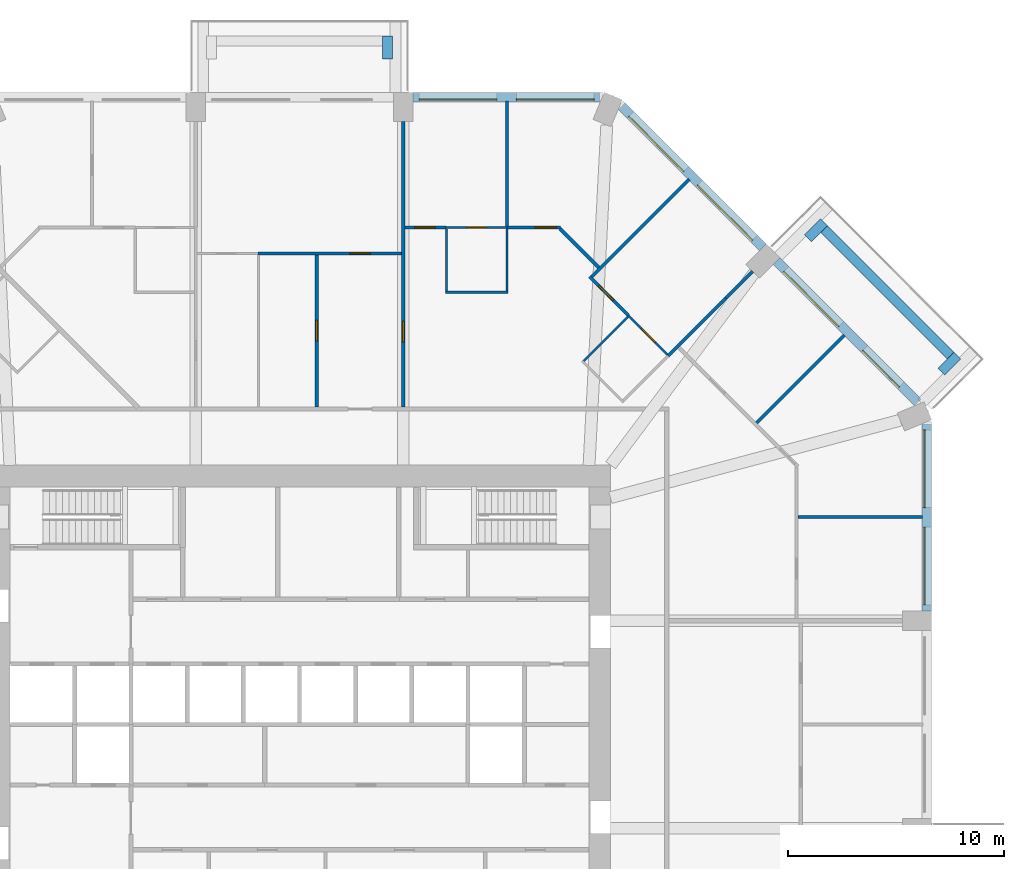
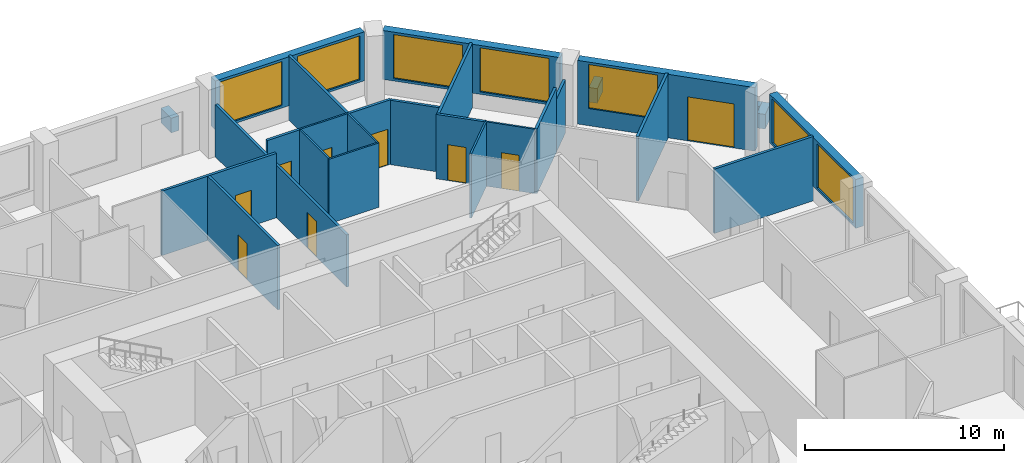
# One storey, part 10 of 13: 27 walls, 9 doors, 7 windows, 16 openings.
"""IFC4 building model written with IfcOpenShell, lengths in metres."""

from ifc_helpers import new_model, si_unit, direction, frame, frame_2d, origin, place, context, subcontext, project, spatial, rectangle, extrude, material, layer, layer_set, type_object, element, fill, save


model = new_model("IFC4")

# Units and contexts
model_context = context("Model", 3, precision=1e-05, world=origin(), true_north=direction((0.0, 1.0)))
body_context = subcontext(model_context, "Body", "Model", "MODEL_VIEW")
ifc_project = project(units=[si_unit("LENGTHUNIT", "METRE"), si_unit("AREAUNIT", "SQUARE_METRE"), si_unit("VOLUMEUNIT", "CUBIC_METRE"), si_unit("PLANEANGLEUNIT", "RADIAN"), si_unit("MASSUNIT", "GRAM", prefix="KILO")], contexts=[model_context])

# Site, building, storey
site_placement = place(None, origin())
site = spatial("IfcSite", under=ifc_project, at=site_placement, CompositionType="ELEMENT")
building_placement = place(site_placement, origin())
building = spatial("IfcBuilding", under=site, at=building_placement, Name="Msitu Wima Residences", CompositionType="ELEMENT")
storey_placement = place(building_placement, frame((0.0, 0.0, 80.10009765625)))
storey = spatial("IfcBuildingStorey", under=building, at=storey_placement, Name="L18", CompositionType="ELEMENT", Elevation=80.10009765625)

# Walls
ifc_material_1 = material(Name="Facing brick")
ifc_layer_1 = layer(ifc_material_1, 0.06494140625, Name="Facing brick")
ifc_material_2 = material(Name="Concrete C40/50", Category="concrete")
ifc_layer_2 = layer(ifc_material_2, 0.156005859375, Name="Concrete C40/50")
ifc_material_3 = material(Name="Waterproofing membrane")
ifc_layer_3 = layer(ifc_material_3, 0.00390625, Name="Waterproofing membrane")
ifc_material_4 = material(Name="Planting soil and planting")
ifc_layer_4 = layer(ifc_material_4, 0.22509765625, Name="Planting soil and planting")
ifc_layer_set_1 = layer_set([ifc_layer_1, ifc_layer_2, ifc_layer_3, ifc_layer_4], Name="Concrete C40/50")
wall_type_1 = type_object("IfcWallType", Name="Balcony planter PLANTER PL450", PredefinedType="USERDEFINED", material=ifc_layer_set_1)
wall_1_placement = place(storey_placement, frame((30.125732421875, 17.0693359375, 0.0), z_axis=(0.0, 0.0, 1.0), x_axis=(-0.707106781187, 0.707106781187, 0.0)))
element("IfcWall", 1, at=wall_1_placement, inside=storey, type_object=wall_type_1, Name="Balcony planter NE0 L18", ObjectType="PLANTER", PredefinedType="USERDEFINED", context=body_context, shape_type="SweptSolid", body=[
    extrude(rectangle(XDim=8.2822265625, YDim=0.449951171875, at=frame_2d((4.14111328125, 0.0))), origin(), (0.0, 0.0, 1.0), 0.89990234375),
])
for number, where, z_axis, x_axis, name in (
    (2, (29.70166015625, 16.326904296875, 0.0), (0.0, 0.0, 1.0), (0.707106781187, 0.707106781187, 0.0), "Balcony planter NE0 L18"),
    (3, (23.52685546875, 22.50146484375, 0.0), (0.0, 0.0, 1.0), (0.706990528533, 0.707223014731, 0.0), "Balcony planter NE0 L18"),
    (4, (4.074951171875, 30.800048828125, 0.0), (0.0, 0.0, 1.0), (0.0, 1.0, 0.0), "Balcony planter N1 L18"),
):
    element("IfcWall", number, at=place(storey_placement, frame(where, z_axis=z_axis, x_axis=x_axis)), inside=storey, type_object=wall_type_1, Name=name, ObjectType="PLANTER", PredefinedType="USERDEFINED", context=body_context, shape_type="SweptSolid", body=[
        extrude(rectangle(XDim=1.050048828125, YDim=0.449951171875, at=frame_2d((0.52490234375, 0.0))), origin(), (0.0, 0.0, 1.0), 0.89990234375),
    ])

# Wall, openings, windows
ifc_material_5 = material(Name="Brick (red buff mix)", Category="masonry")
ifc_layer_5 = layer(ifc_material_5, 0.449951171875)
ifc_layer_set_2 = layer_set([ifc_layer_5], Name="Brick (red buff mix)")
wall_type_2 = type_object("IfcWallType", Name="Brick infill wall BW450", PredefinedType="SOLIDWALL", material=ifc_layer_set_2)
wall_2_placement = place(storey_placement, frame((29.02490234375, 5.25, 0.89990234375), z_axis=(0.0, 0.0, 1.0), x_axis=(0.0, 1.0, 0.0)))
wall_2 = element("IfcWall", 5, at=wall_2_placement, inside=storey, type_object=wall_type_2, Name="Brick infill wall L18 E2", PredefinedType="SOLIDWALL", context=body_context, shape_type="SweptSolid", body=[
    extrude(rectangle(XDim=8.662841796875, YDim=0.449951171875, at=frame_2d((4.33154296875, 0.0))), origin(), (0.0, 0.0, 1.0), 3.0),
])
opening_1_placement = place(wall_2_placement, frame((0.281494140625, 0.0, 0.14990234375)))
opening_1 = element("IfcOpeningElement", 6, at=opening_1_placement, cuts=wall_2, Name="Opening W18-20.004", PredefinedType="OPENING", context=body_context, shape_type="SweptSolid", body=[
    extrude(rectangle(XDim=3.60009765625, YDim=2.699951171875, at=frame_2d((1.800048828125, 1.35009765625))), frame((0.0, 0.23486328125, 0.0), z_axis=(0.0, -1.0, 0.0), x_axis=(1.0, 0.0, 0.0)), (0.0, 0.0, 1.0), 0.469970703125),
])
opening_2_placement = place(wall_2_placement, frame((4.781494140625, 0.0, 0.14990234375)))
opening_2 = element("IfcOpeningElement", 7, at=opening_2_placement, cuts=wall_2, Name="Opening W18-20.005", PredefinedType="OPENING", context=body_context, shape_type="SweptSolid", body=[
    extrude(rectangle(XDim=3.60009765625, YDim=2.699951171875, at=frame_2d((1.800048828125, 1.35009765625))), frame((0.0, 0.23486328125, 0.0), z_axis=(0.0, -1.0, 0.0), x_axis=(1.0, 0.0, 0.0)), (0.0, 0.0, 1.0), 0.469970703125),
])
ifc_material_6 = material(Name="Anodised aluminium, bronze finish, clear low-emissivity double glazing", Category="aluminium")
window_type = type_object("IfcWindowType", Name="Window W3600x2700", PartitioningType="DOUBLE_PANEL_VERTICAL", PredefinedType="WINDOW", material=ifc_material_6)
window_1_placement = place(opening_1_placement, origin())
window_1 = element("IfcWindow", 8, at=window_1_placement, inside=storey, type_object=window_type, Name="Window L18 E2.1", OverallHeight=2.699951171875, OverallWidth=3.60009765625, PartitioningType="SINGLE_PANEL", PredefinedType="WINDOW", context=body_context, shape_type="SweptSolid", body=[
    extrude(rectangle(XDim=3.60009765625, YDim=2.699951171875, at=frame_2d((1.800048828125, 1.35009765625))), frame((0.0, 0.135009765625, 0.0), z_axis=(0.0, -1.0, 0.0), x_axis=(1.0, 0.0, 0.0)), (0.0, 0.0, 1.0), 0.06005859375),
])
fill(opening_1, window_1)
window_2_placement = place(opening_2_placement, origin())
window_2 = element("IfcWindow", 9, at=window_2_placement, inside=storey, type_object=window_type, Name="Window L18 E2.2", OverallHeight=2.699951171875, OverallWidth=3.60009765625, PartitioningType="SINGLE_PANEL", PredefinedType="WINDOW", context=body_context, shape_type="SweptSolid", body=[
    extrude(rectangle(XDim=3.60009765625, YDim=2.699951171875, at=frame_2d((1.800048828125, 1.35009765625))), frame((0.0, 0.135009765625, 0.0), z_axis=(0.0, -1.0, 0.0), x_axis=(1.0, 0.0, 0.0)), (0.0, 0.0, 1.0), 0.06005859375),
])
fill(opening_2, window_2)

# Wall, openings, door, window
wall_3_placement = place(storey_placement, frame((28.61474609375, 14.903564453125, 0.0), z_axis=(0.0, 0.0, 1.0), x_axis=(-0.707106781187, 0.707106781187, 0.0)))
wall_3 = element("IfcWall", 10, at=wall_3_placement, inside=storey, type_object=wall_type_2, Name="Brick infill wall L18 NE0", PredefinedType="SOLIDWALL", context=body_context, shape_type="SweptSolid", body=[
    extrude(rectangle(XDim=9.2451171875, YDim=0.449951171875, at=frame_2d((4.62255859375, 0.0))), origin(), (0.0, 0.0, 1.0), 3.89990234375),
])
opening_3_placement = place(wall_3_placement, frame((1.111328125, 0.0, 0.0)))
opening_3 = element("IfcOpeningElement", 11, at=opening_3_placement, cuts=wall_3, Name="Opening D18-20.003", PredefinedType="OPENING", context=body_context, shape_type="SweptSolid", body=[
    extrude(rectangle(XDim=2.39990234375, YDim=2.699951171875, at=frame_2d((1.199951171875, 1.35009765625))), frame((0.0, 0.23486328125, 0.0), z_axis=(0.0, -1.0, 0.0), x_axis=(1.0, 0.0, 0.0)), (0.0, 0.0, 1.0), 0.469970703125),
])
opening_4_placement = place(wall_3_placement, frame((5.072509765625, 0.0, 1.050048828125)))
opening_4 = element("IfcOpeningElement", 12, at=opening_4_placement, cuts=wall_3, Name="Opening W18-20.011", PredefinedType="OPENING", context=body_context, shape_type="SweptSolid", body=[
    extrude(rectangle(XDim=3.60009765625, YDim=2.699951171875, at=frame_2d((1.800048828125, 1.35009765625))), frame((0.0, 0.23486328125, 0.0), z_axis=(0.0, -1.0, 0.0), x_axis=(1.0, 0.0, 0.0)), (0.0, 0.0, 1.0), 0.469970703125),
])
door_type_1 = type_object("IfcDoorType", Name="Balcony door D2400x2700", OperationType="SLIDING_TO_LEFT", PredefinedType="DOOR", material=ifc_material_6)
door_1_placement = place(opening_3_placement, origin())
door_1 = element("IfcDoor", 13, at=door_1_placement, inside=storey, type_object=door_type_1, Name="Balcony door L18 NE0", OperationType="SINGLE_SWING_LEFT", OverallHeight=2.699951171875, OverallWidth=2.39990234375, PredefinedType="DOOR", context=body_context, shape_type="SweptSolid", body=[
    extrude(rectangle(XDim=2.39990234375, YDim=2.699951171875, at=frame_2d((1.199951171875, 1.35009765625))), frame((0.0, 0.1298828125, 0.0), z_axis=(0.0, -1.0, 0.0), x_axis=(1.0, 0.0, 0.0)), (0.0, 0.0, 1.0), 0.050048828125),
])
fill(opening_3, door_1)
window_3_placement = place(opening_4_placement, origin())
window_3 = element("IfcWindow", 14, at=window_3_placement, inside=storey, type_object=window_type, Name="Window L18 NE0.2", OverallHeight=2.699951171875, OverallWidth=3.60009765625, PartitioningType="SINGLE_PANEL", PredefinedType="WINDOW", context=body_context, shape_type="SweptSolid", body=[
    extrude(rectangle(XDim=3.60009765625, YDim=2.699951171875, at=frame_2d((1.800048828125, 1.35009765625))), frame((0.0, 0.135009765625, 0.0), z_axis=(0.0, -1.0, 0.0), x_axis=(1.0, 0.0, 0.0)), (0.0, 0.0, 1.0), 0.06005859375),
])
fill(opening_4, window_3)

# Wall, openings, windows
wall_4_placement = place(storey_placement, frame((21.44091796875, 22.077392578125, 0.89990234375), z_axis=(0.0, 0.0, 1.0), x_axis=(-0.707106781187, 0.707106781187, 0.0)))
wall_4 = element("IfcWall", 15, at=wall_4_placement, inside=storey, type_object=wall_type_2, Name="Brick infill wall L18 NE1", PredefinedType="SOLIDWALL", context=body_context, shape_type="SweptSolid", body=[
    extrude(rectangle(XDim=9.2451171875, YDim=0.449951171875, at=frame_2d((4.62255859375, 0.0))), origin(), (0.0, 0.0, 1.0), 3.0),
])
opening_5_placement = place(wall_4_placement, frame((0.572509765625, 0.0, 0.14990234375)))
opening_5 = element("IfcOpeningElement", 16, at=opening_5_placement, cuts=wall_4, Name="Opening W18-20.012", PredefinedType="OPENING", context=body_context, shape_type="SweptSolid", body=[
    extrude(rectangle(XDim=3.60009765625, YDim=2.699951171875, at=frame_2d((1.800048828125, 1.35009765625))), frame((0.0, 0.23486328125, 0.0), z_axis=(0.0, -1.0, 0.0), x_axis=(1.0, 0.0, 0.0)), (0.0, 0.0, 1.0), 0.469970703125),
])
opening_6_placement = place(wall_4_placement, frame((5.072509765625, 0.0, 0.14990234375)))
opening_6 = element("IfcOpeningElement", 17, at=opening_6_placement, cuts=wall_4, Name="Opening W18-20.013", PredefinedType="OPENING", context=body_context, shape_type="SweptSolid", body=[
    extrude(rectangle(XDim=3.60009765625, YDim=2.699951171875, at=frame_2d((1.800048828125, 1.35009765625))), frame((0.0, 0.23486328125, 0.0), z_axis=(0.0, -1.0, 0.0), x_axis=(1.0, 0.0, 0.0)), (0.0, 0.0, 1.0), 0.469970703125),
])
window_4_placement = place(opening_5_placement, origin())
window_4 = element("IfcWindow", 18, at=window_4_placement, inside=storey, type_object=window_type, Name="Window L18 NE1.1", OverallHeight=2.699951171875, OverallWidth=3.60009765625, PartitioningType="SINGLE_PANEL", PredefinedType="WINDOW", context=body_context, shape_type="SweptSolid", body=[
    extrude(rectangle(XDim=3.60009765625, YDim=2.699951171875, at=frame_2d((1.800048828125, 1.35009765625))), frame((0.0, 0.135009765625, 0.0), z_axis=(0.0, -1.0, 0.0), x_axis=(1.0, 0.0, 0.0)), (0.0, 0.0, 1.0), 0.06005859375),
])
fill(opening_5, window_4)
window_5_placement = place(opening_6_placement, origin())
window_5 = element("IfcWindow", 19, at=window_5_placement, inside=storey, type_object=window_type, Name="Window L18 NE1.2", OverallHeight=2.699951171875, OverallWidth=3.60009765625, PartitioningType="SINGLE_PANEL", PredefinedType="WINDOW", context=body_context, shape_type="SweptSolid", body=[
    extrude(rectangle(XDim=3.60009765625, YDim=2.699951171875, at=frame_2d((1.800048828125, 1.35009765625))), frame((0.0, 0.135009765625, 0.0), z_axis=(0.0, -1.0, 0.0), x_axis=(1.0, 0.0, 0.0)), (0.0, 0.0, 1.0), 0.06005859375),
])
fill(opening_6, window_5)

wall_5_placement = place(storey_placement, frame((13.912841796875, 29.02490234375, 0.89990234375), z_axis=(0.0, 0.0, 1.0), x_axis=(-1.0, 0.0, 0.0)))
wall_5 = element("IfcWall", 20, at=wall_5_placement, inside=storey, type_object=wall_type_2, Name="Brick infill wall L18 N0", PredefinedType="SOLIDWALL", context=body_context, shape_type="SweptSolid", body=[
    extrude(rectangle(XDim=8.662841796875, YDim=0.449951171875, at=frame_2d((4.33154296875, 0.0))), origin(), (0.0, 0.0, 1.0), 3.0),
])
opening_7_placement = place(wall_5_placement, frame((0.281494140625, 0.0, 0.14990234375)))
opening_7 = element("IfcOpeningElement", 21, at=opening_7_placement, cuts=wall_5, Name="Opening W18-20.006", PredefinedType="OPENING", context=body_context, shape_type="SweptSolid", body=[
    extrude(rectangle(XDim=3.60009765625, YDim=2.699951171875, at=frame_2d((1.800048828125, 1.35009765625))), frame((0.0, 0.23486328125, 0.0), z_axis=(0.0, -1.0, 0.0), x_axis=(1.0, 0.0, 0.0)), (0.0, 0.0, 1.0), 0.469970703125),
])
opening_8_placement = place(wall_5_placement, frame((4.781494140625, 0.0, 0.14990234375)))
opening_8 = element("IfcOpeningElement", 22, at=opening_8_placement, cuts=wall_5, Name="Opening W18-20.007", PredefinedType="OPENING", context=body_context, shape_type="SweptSolid", body=[
    extrude(rectangle(XDim=3.60009765625, YDim=2.699951171875, at=frame_2d((1.800048828125, 1.35009765625))), frame((0.0, 0.23486328125, 0.0), z_axis=(0.0, -1.0, 0.0), x_axis=(1.0, 0.0, 0.0)), (0.0, 0.0, 1.0), 0.469970703125),
])
window_6_placement = place(opening_7_placement, origin())
window_6 = element("IfcWindow", 23, at=window_6_placement, inside=storey, type_object=window_type, Name="Window L18 N0.1", OverallHeight=2.699951171875, OverallWidth=3.60009765625, PartitioningType="SINGLE_PANEL", PredefinedType="WINDOW", context=body_context, shape_type="SweptSolid", body=[
    extrude(rectangle(XDim=3.60009765625, YDim=2.699951171875, at=frame_2d((1.800048828125, 1.35009765625))), frame((0.0, 0.135009765625, 0.0), z_axis=(0.0, -1.0, 0.0), x_axis=(1.0, 0.0, 0.0)), (0.0, 0.0, 1.0), 0.06005859375),
])
fill(opening_7, window_6)
window_7_placement = place(opening_8_placement, origin())
window_7 = element("IfcWindow", 24, at=window_7_placement, inside=storey, type_object=window_type, Name="Window L18 N0.2", OverallHeight=2.699951171875, OverallWidth=3.60009765625, PartitioningType="SINGLE_PANEL", PredefinedType="WINDOW", context=body_context, shape_type="SweptSolid", body=[
    extrude(rectangle(XDim=3.60009765625, YDim=2.699951171875, at=frame_2d((1.800048828125, 1.35009765625))), frame((0.0, 0.135009765625, 0.0), z_axis=(0.0, -1.0, 0.0), x_axis=(1.0, 0.0, 0.0)), (0.0, 0.0, 1.0), 0.06005859375),
])
fill(opening_8, window_7)

# Wall, opening, door
ifc_material_7 = material(Name="Plaster")
ifc_layer_6 = layer(ifc_material_7, 0.011962890625, Name="Plaster")
ifc_material_8 = material(Name="Concrete blockwork", Category="masonry")
ifc_layer_7 = layer(ifc_material_8, 0.1259765625, Name="Concrete blockwork")
ifc_layer_8 = layer(ifc_material_7, 0.011962890625, Name="Plaster")
ifc_layer_set_3 = layer_set([ifc_layer_6, ifc_layer_7, ifc_layer_8], Name="Concrete blockwork")
wall_type_3 = type_object("IfcWallType", Name="Partition PW150", PredefinedType="PARTITIONING", material=ifc_layer_set_3)
wall_6_placement = place(storey_placement, frame((-1.919921875, 21.800048828125, 0.0), z_axis=(0.0, 0.0, 1.0), x_axis=(1.0, 0.0, 0.0)))
wall_6 = element("IfcWall", 25, at=wall_6_placement, inside=storey, type_object=wall_type_3, Name="Partition", PredefinedType="PARTITIONING", context=body_context, shape_type="SweptSolid", body=[
    extrude(rectangle(XDim=6.64501953125, YDim=0.14990234375, at=frame_2d((3.322509765625, 0.0))), origin(), (0.0, 0.0, 1.0), 3.949951171875),
])
opening_9_placement = place(wall_6_placement, frame((4.25, 0.0, 0.0)))
opening_9 = element("IfcOpeningElement", 26, at=opening_9_placement, cuts=wall_6, Name="Opening D18-20.048", PredefinedType="OPENING", context=body_context, shape_type="SweptSolid", body=[
    extrude(rectangle(XDim=0.949951171875, YDim=2.199951171875, at=frame_2d((0.47509765625, 1.10009765625))), frame((0.0, 0.0849609375, 0.0), z_axis=(0.0, -1.0, 0.0), x_axis=(1.0, 0.0, 0.0)), (0.0, 0.0, 1.0), 0.169921875),
])
ifc_material_9 = material(Name="Timber flush door", Category="wood")
door_type_2 = type_object("IfcDoorType", Name="Room door D12 950x2200", OperationType="SINGLE_SWING_LEFT", PredefinedType="DOOR", material=ifc_material_9)
door_2_placement = place(opening_9_placement, origin())
door_2 = element("IfcDoor", 27, at=door_2_placement, inside=storey, type_object=door_type_2, Name="Room door", OperationType="SINGLE_SWING_RIGHT", OverallHeight=2.199951171875, OverallWidth=0.949951171875, PredefinedType="DOOR", context=body_context, shape_type="SweptSolid", body=[
    extrude(rectangle(XDim=0.949951171875, YDim=2.199951171875, at=frame_2d((0.47509765625, 1.10009765625))), frame((0.0, 0.02490234375, 0.0), z_axis=(0.0, -1.0, 0.0), x_axis=(1.0, 0.0, 0.0)), (0.0, 0.0, 1.0), 0.050048828125),
])
fill(opening_9, door_2)

wall_7_placement = place(storey_placement, frame((0.800048828125, 14.699951171875, 0.0), z_axis=(0.0, 0.0, 1.0), x_axis=(0.0, 1.0, 0.0)))
wall_7 = element("IfcWall", 28, at=wall_7_placement, inside=storey, type_object=wall_type_3, Name="Partition", PredefinedType="PARTITIONING", context=body_context, shape_type="SweptSolid", body=[
    extrude(rectangle(XDim=7.025146484375, YDim=0.14990234375, at=frame_2d((3.5126953125, 0.0))), origin(), (0.0, 0.0, 1.0), 3.949951171875),
])
opening_10_placement = place(wall_7_placement, frame((3.050048828125, 0.0, 0.0)))
opening_10 = element("IfcOpeningElement", 29, at=opening_10_placement, cuts=wall_7, Name="Opening D18-20.085", PredefinedType="OPENING", context=body_context, shape_type="SweptSolid", body=[
    extrude(rectangle(XDim=0.949951171875, YDim=2.199951171875, at=frame_2d((0.47509765625, 1.10009765625))), frame((0.0, 0.0849609375, 0.0), z_axis=(0.0, -1.0, 0.0), x_axis=(1.0, 0.0, 0.0)), (0.0, 0.0, 1.0), 0.169921875),
])
door_3_placement = place(opening_10_placement, origin())
door_3 = element("IfcDoor", 30, at=door_3_placement, inside=storey, type_object=door_type_2, Name="Room door", OperationType="SINGLE_SWING_RIGHT", OverallHeight=2.199951171875, OverallWidth=0.949951171875, PredefinedType="DOOR", context=body_context, shape_type="SweptSolid", body=[
    extrude(rectangle(XDim=0.949951171875, YDim=2.199951171875, at=frame_2d((0.47509765625, 1.10009765625))), frame((0.0, 0.02490234375, 0.0), z_axis=(0.0, -1.0, 0.0), x_axis=(1.0, 0.0, 0.0)), (0.0, 0.0, 1.0), 0.050048828125),
])
fill(opening_10, door_3)

wall_8_placement = place(storey_placement, frame((4.800048828125, 14.699951171875, 0.0), z_axis=(0.0, 0.0, 1.0), x_axis=(0.0, 1.0, 0.0)))
wall_8 = element("IfcWall", 31, at=wall_8_placement, inside=storey, type_object=wall_type_3, Name="Partition", PredefinedType="PARTITIONING", context=body_context, shape_type="SweptSolid", body=[
    extrude(rectangle(XDim=13.199951171875, YDim=0.14990234375, at=frame_2d((6.60009765625, 0.0))), origin(), (0.0, 0.0, 1.0), 3.199951171875),
])
opening_11_placement = place(wall_8_placement, frame((3.0, 0.0, 0.0)))
opening_11 = element("IfcOpeningElement", 32, at=opening_11_placement, cuts=wall_8, Name="Opening D18-20.037", PredefinedType="OPENING", context=body_context, shape_type="SweptSolid", body=[
    extrude(rectangle(XDim=0.949951171875, YDim=2.199951171875, at=frame_2d((0.47509765625, 1.10009765625))), frame((0.0, 0.0849609375, 0.0), z_axis=(0.0, -1.0, 0.0), x_axis=(1.0, 0.0, 0.0)), (0.0, 0.0, 1.0), 0.169921875),
])
door_4_placement = place(opening_11_placement, origin())
door_4 = element("IfcDoor", 33, at=door_4_placement, inside=storey, type_object=door_type_2, Name="Room door", OperationType="SINGLE_SWING_RIGHT", OverallHeight=2.199951171875, OverallWidth=0.949951171875, PredefinedType="DOOR", context=body_context, shape_type="SweptSolid", body=[
    extrude(rectangle(XDim=0.949951171875, YDim=2.199951171875, at=frame_2d((0.47509765625, 1.10009765625))), frame((0.0, 0.02490234375, 0.0), z_axis=(0.0, -1.0, 0.0), x_axis=(1.0, 0.0, 0.0)), (0.0, 0.0, 1.0), 0.050048828125),
])
fill(opening_11, door_4)

wall_9_placement = place(storey_placement, frame((4.875, 23.0, 0.0), z_axis=(0.0, 0.0, 1.0), x_axis=(1.0, 0.0, 0.0)))
wall_9 = element("IfcWall", 34, at=wall_9_placement, inside=storey, type_object=wall_type_3, Name="Partition", PredefinedType="PARTITIONING", context=body_context, shape_type="SweptSolid", body=[
    extrude(rectangle(XDim=1.905029296875, YDim=0.14990234375, at=frame_2d((0.95263671875, 0.0))), origin(), (0.0, 0.0, 1.0), 3.949951171875),
])
opening_12_placement = place(wall_9_placement, frame((0.449951171875, 0.0, 0.0)))
opening_12 = element("IfcOpeningElement", 35, at=opening_12_placement, cuts=wall_9, Name="Opening D18-20.081", PredefinedType="OPENING", context=body_context, shape_type="SweptSolid", body=[
    extrude(rectangle(XDim=0.949951171875, YDim=2.199951171875, at=frame_2d((0.47509765625, 1.10009765625))), frame((0.0, 0.0849609375, 0.0), z_axis=(0.0, -1.0, 0.0), x_axis=(1.0, 0.0, 0.0)), (0.0, 0.0, 1.0), 0.169921875),
])
door_5_placement = place(opening_12_placement, origin())
door_5 = element("IfcDoor", 36, at=door_5_placement, inside=storey, type_object=door_type_2, Name="Room door", OperationType="SINGLE_SWING_LEFT", OverallHeight=2.199951171875, OverallWidth=0.949951171875, PredefinedType="DOOR", context=body_context, shape_type="SweptSolid", body=[
    extrude(rectangle(XDim=0.949951171875, YDim=2.199951171875, at=frame_2d((0.47509765625, 1.10009765625))), frame((0.0, 0.02490234375, 0.0), z_axis=(0.0, -1.0, 0.0), x_axis=(1.0, 0.0, 0.0)), (0.0, 0.0, 1.0), 0.050048828125),
])
fill(opening_12, door_5)

# Wall
wall_10_placement = place(storey_placement, frame((9.60009765625, 22.97998046875, 0.0), z_axis=(0.0, 0.0, 1.0), x_axis=(0.0, 1.0, 0.0)))
element("IfcWall", 37, at=wall_10_placement, inside=storey, type_object=wall_type_3, Name="Partition", PredefinedType="PARTITIONING", context=body_context, shape_type="SweptSolid", body=[
    extrude(rectangle(XDim=5.875, YDim=0.14990234375, at=frame_2d((2.9375, 0.0))), origin(), (0.0, 0.0, 1.0), 3.949951171875),
])

# Wall, opening, door
wall_11_placement = place(storey_placement, frame((9.6201171875, 23.0, 0.0), z_axis=(0.0, 0.0, 1.0), x_axis=(1.0, 0.0, 0.0)))
wall_11 = element("IfcWall", 38, at=wall_11_placement, inside=storey, type_object=wall_type_3, Name="Partition", PredefinedType="PARTITIONING", context=body_context, shape_type="SweptSolid", body=[
    extrude(rectangle(XDim=2.452392578125, YDim=0.14990234375, at=frame_2d((1.22607421875, 0.0))), origin(), (0.0, 0.0, 1.0), 3.949951171875),
])
opening_13_placement = place(wall_11_placement, frame((1.300048828125, 0.0, 0.0)))
opening_13 = element("IfcOpeningElement", 39, at=opening_13_placement, cuts=wall_11, Name="Opening D18-20.039", PredefinedType="OPENING", context=body_context, shape_type="SweptSolid", body=[
    extrude(rectangle(XDim=0.949951171875, YDim=2.199951171875, at=frame_2d((0.47509765625, 1.10009765625))), frame((0.0, 0.0849609375, 0.0), z_axis=(0.0, -1.0, 0.0), x_axis=(1.0, 0.0, 0.0)), (0.0, 0.0, 1.0), 0.169921875),
])
door_6_placement = place(opening_13_placement, origin())
door_6 = element("IfcDoor", 40, at=door_6_placement, inside=storey, type_object=door_type_2, Name="Room door", OperationType="SINGLE_SWING_LEFT", OverallHeight=2.199951171875, OverallWidth=0.949951171875, PredefinedType="DOOR", context=body_context, shape_type="SweptSolid", body=[
    extrude(rectangle(XDim=0.949951171875, YDim=2.199951171875, at=frame_2d((0.47509765625, 1.10009765625))), frame((0.0, 0.02490234375, 0.0), z_axis=(0.0, -1.0, 0.0), x_axis=(1.0, 0.0, 0.0)), (0.0, 0.0, 1.0), 0.050048828125),
])
fill(opening_13, door_6)

# Wall
wall_12_placement = place(storey_placement, frame((12.050537109375, 22.947021484375, 0.0), z_axis=(0.0, 0.0, 1.0), x_axis=(0.707106781187, -0.707106781187, 0.0)))
element("IfcWall", 41, at=wall_12_placement, inside=storey, type_object=wall_type_3, Name="Partition", PredefinedType="PARTITIONING", context=body_context, shape_type="SweptSolid", body=[
    extrude(rectangle(XDim=2.538818359375, YDim=0.14990234375, at=frame_2d((1.26953125, 0.0))), origin(), (0.0, 0.0, 1.0), 3.949951171875),
])

# Wall, opening, door
wall_13_placement = place(storey_placement, frame((13.42138671875, 20.7275390625, 0.0), z_axis=(0.0, 0.0, 1.0), x_axis=(0.707154722254, -0.707058836868, 0.0)))
wall_13 = element("IfcWall", 42, at=wall_13_placement, inside=storey, type_object=wall_type_3, Name="Partition", PredefinedType="PARTITIONING", context=body_context, shape_type="SweptSolid", body=[
    extrude(rectangle(XDim=2.546142578125, YDim=0.14990234375, at=frame_2d((1.27294921875, 0.0))), origin(), (0.0, 0.0, 1.0), 3.949951171875),
])
opening_14_placement = place(wall_13_placement, frame((0.60009765625, 0.0, 0.0)))
opening_14 = element("IfcOpeningElement", 43, at=opening_14_placement, cuts=wall_13, Name="Opening D18-20.086", PredefinedType="OPENING", context=body_context, shape_type="SweptSolid", body=[
    extrude(rectangle(XDim=0.949951171875, YDim=2.199951171875, at=frame_2d((0.47509765625, 1.10009765625))), frame((0.0, 0.0849609375, 0.0), z_axis=(0.0, -1.0, 0.0), x_axis=(1.0, 0.0, 0.0)), (0.0, 0.0, 1.0), 0.169921875),
])
door_7_placement = place(opening_14_placement, origin())
door_7 = element("IfcDoor", 44, at=door_7_placement, inside=storey, type_object=door_type_2, Name="Room door", OperationType="SINGLE_SWING_LEFT", OverallHeight=2.199951171875, OverallWidth=0.949951171875, PredefinedType="DOOR", context=body_context, shape_type="SweptSolid", body=[
    extrude(rectangle(XDim=0.949951171875, YDim=2.199951171875, at=frame_2d((0.47509765625, 1.10009765625))), frame((0.0, 0.02490234375, 0.0), z_axis=(0.0, -1.0, 0.0), x_axis=(1.0, 0.0, 0.0)), (0.0, 0.0, 1.0), 0.050048828125),
])
fill(opening_14, door_7)

# Walls
wall_14_placement = place(storey_placement, frame((13.527587890625, 20.7275390625, 0.0), z_axis=(0.0, 0.0, 1.0), x_axis=(0.707106781187, 0.707106781187, 0.0)))
element("IfcWall", 45, at=wall_14_placement, inside=storey, type_object=wall_type_3, Name="Partition", PredefinedType="PARTITIONING", context=body_context, shape_type="SweptSolid", body=[
    extrude(rectangle(XDim=6.3798828125, YDim=0.14990234375, at=frame_2d((3.18994140625, 0.0))), origin(), (0.0, 0.0, 1.0), 3.949951171875),
])
wall_15_placement = place(storey_placement, frame((17.060302734375, 17.060302734375, 0.0), z_axis=(0.0, 0.0, 1.0), x_axis=(0.707106781187, 0.707106781187, 0.0)))
element("IfcWall", 46, at=wall_15_placement, inside=storey, type_object=wall_type_3, Name="Partition", PredefinedType="PARTITIONING", context=body_context, shape_type="SweptSolid", body=[
    extrude(rectangle(XDim=3.771728515625, YDim=0.14990234375, at=frame_2d((1.8857421875, 0.0))), origin(), (0.0, 0.0, 1.0), 3.949951171875),
])
wall_16_placement = place(storey_placement, frame((19.727294921875, 19.727294921875, 0.0), z_axis=(0.0, 0.0, 1.0), x_axis=(0.707106781187, 0.707106781187, 0.0)))
element("IfcWall", 47, at=wall_16_placement, inside=storey, type_object=wall_type_3, Name="Partition", PredefinedType="PARTITIONING", context=body_context, shape_type="SweptSolid", body=[
    extrude(rectangle(XDim=1.74853515625, YDim=0.14990234375, at=frame_2d((0.874267578125, 0.0))), origin(), (0.0, 0.0, 1.0), 3.25),
])
for number, where, z_axis, x_axis, name in (
    (48, (21.15185546875, 13.951904296875, 0.0), (0.0, 0.0, 1.0), (0.707128010843, 0.707085550893, 0.0), "Partition"),
    (49, (23.074951171875, 9.60009765625, 0.0), (0.0, 0.0, 1.0), (1.0, 0.0, 0.0), "Partition"),
):
    element("IfcWall", number, at=place(storey_placement, frame(where, z_axis=z_axis, x_axis=x_axis)), inside=storey, type_object=wall_type_3, Name=name, PredefinedType="PARTITIONING", context=body_context, shape_type="SweptSolid", body=[
        extrude(rectangle(XDim=5.75, YDim=0.14990234375, at=frame_2d((2.875, 0.0))), origin(), (0.0, 0.0, 1.0), 3.949951171875),
    ])

# Wall, opening, door
ifc_material_10 = material(Name="Ceramic tiles")
ifc_layer_9 = layer(ifc_material_10, 0.008056640625, Name="Ceramic tiles")
ifc_material_11 = material(Name="Moisture-resistant board")
ifc_layer_10 = layer(ifc_material_11, 0.012451171875, Name="Moisture-resistant board")
ifc_material_12 = material(Name="Light-gauge stud framing with mineral wool")
ifc_layer_11 = layer(ifc_material_12, 0.06689453125, Name="Light-gauge stud framing with mineral wool")
ifc_layer_12 = layer(ifc_material_11, 0.012451171875, Name="Moisture-resistant board")
ifc_layer_set_4 = layer_set([ifc_layer_9, ifc_layer_10, ifc_layer_11, ifc_layer_12], Name="Light-gauge stud framing with mineral wool")
wall_type_4 = type_object("IfcWallType", Name="Wet wall PW100", PredefinedType="PARTITIONING", material=ifc_layer_set_4)
wall_17_placement = place(storey_placement, frame((6.780029296875, 23.0, 0.0), z_axis=(0.0, 0.0, 1.0), x_axis=(1.0, 0.0, 0.0)))
wall_17 = element("IfcWall", 50, at=wall_17_placement, inside=storey, type_object=wall_type_4, Name="Wet wall", PredefinedType="PARTITIONING", context=body_context, shape_type="SweptSolid", body=[
    extrude(rectangle(XDim=2.840087890625, YDim=0.10009765625, at=frame_2d((1.419921875, 0.0))), origin(), (0.0, 0.0, 1.0), 3.949951171875),
])
opening_15_placement = place(wall_17_placement, frame((0.949951171875, 0.0, 0.0)))
opening_15 = element("IfcOpeningElement", 51, at=opening_15_placement, cuts=wall_17, Name="Opening D18-20.084", PredefinedType="OPENING", context=body_context, shape_type="SweptSolid", body=[
    extrude(rectangle(XDim=0.89990234375, YDim=2.199951171875, at=frame_2d((0.449951171875, 1.10009765625))), frame((0.0, 0.06005859375, 0.0), z_axis=(0.0, -1.0, 0.0), x_axis=(1.0, 0.0, 0.0)), (0.0, 0.0, 1.0), 0.1201171875),
])
ifc_material_13 = material(Name="Timber flush door, moisture resistant", Category="wood")
door_type_3 = type_object("IfcDoorType", Name="Bathroom door D03 900x2200", OperationType="SINGLE_SWING_LEFT", PredefinedType="DOOR", material=ifc_material_13)
door_8_placement = place(opening_15_placement, origin())
door_8 = element("IfcDoor", 52, at=door_8_placement, inside=storey, type_object=door_type_3, Name="Bathroom door", OperationType="SINGLE_SWING_RIGHT", OverallHeight=2.199951171875, OverallWidth=0.89990234375, PredefinedType="DOOR", context=body_context, shape_type="SweptSolid", body=[
    extrude(rectangle(XDim=0.89990234375, YDim=2.199951171875, at=frame_2d((0.449951171875, 1.10009765625))), frame((0.0, 0.02490234375, 0.0), z_axis=(0.0, -1.0, 0.0), x_axis=(1.0, 0.0, 0.0)), (0.0, 0.0, 1.0), 0.050048828125),
])
fill(opening_15, door_8)

# Walls
wall_18_placement = place(storey_placement, frame((6.800048828125, 20.050048828125, 0.0), z_axis=(0.0, 0.0, 1.0), x_axis=(0.0, 1.0, 0.0)))
element("IfcWall", 53, at=wall_18_placement, inside=storey, type_object=wall_type_4, Name="Wet wall", PredefinedType="PARTITIONING", context=body_context, shape_type="SweptSolid", body=[
    extrude(rectangle(XDim=2.875, YDim=0.10009765625, at=frame_2d((1.4375, 0.0))), origin(), (0.0, 0.0, 1.0), 3.949951171875),
])
wall_19_placement = place(storey_placement, frame((6.75, 20.0, 0.0), z_axis=(0.0, 0.0, 1.0), x_axis=(1.0, 0.0, 0.0)))
element("IfcWall", 54, at=wall_19_placement, inside=storey, type_object=wall_type_4, Name="Wet wall", PredefinedType="PARTITIONING", context=body_context, shape_type="SweptSolid", body=[
    extrude(rectangle(XDim=2.89990234375, YDim=0.10009765625, at=frame_2d((1.449951171875, 0.0))), origin(), (0.0, 0.0, 1.0), 3.949951171875),
])
wall_20_placement = place(storey_placement, frame((9.60009765625, 20.050048828125, 0.0), z_axis=(0.0, 0.0, 1.0), x_axis=(0.0, 1.0, 0.0)))
element("IfcWall", 55, at=wall_20_placement, inside=storey, type_object=wall_type_4, Name="Wet wall", PredefinedType="PARTITIONING", context=body_context, shape_type="SweptSolid", body=[
    extrude(rectangle(XDim=2.929931640625, YDim=0.10009765625, at=frame_2d((1.46484375, 0.0))), origin(), (0.0, 0.0, 1.0), 3.949951171875),
])
wall_21_placement = place(storey_placement, frame((13.150146484375, 16.8271484375, 0.0), z_axis=(0.0, 0.0, 1.0), x_axis=(0.707106781187, 0.707106781187, 0.0)))
element("IfcWall", 56, at=wall_21_placement, inside=storey, type_object=wall_type_4, Name="Wet wall", PredefinedType="PARTITIONING", context=body_context, shape_type="SweptSolid", body=[
    extrude(rectangle(XDim=2.89990234375, YDim=0.10009765625, at=frame_2d((1.449951171875, 0.0))), origin(), (0.0, 0.0, 1.0), 3.949951171875),
])

# Wall, opening, door
wall_22_placement = place(storey_placement, frame((15.221923828125, 18.92724609375, 0.0), z_axis=(0.0, 0.0, 1.0), x_axis=(0.707059281319, -0.707154277864, 0.0)))
wall_22 = element("IfcWall", 57, at=wall_22_placement, inside=storey, type_object=wall_type_4, Name="Wet wall", PredefinedType="PARTITIONING", context=body_context, shape_type="SweptSolid", body=[
    extrude(rectangle(XDim=2.570068359375, YDim=0.10009765625, at=frame_2d((1.28515625, 0.0))), origin(), (0.0, 0.0, 1.0), 3.949951171875),
])
opening_16_placement = place(wall_22_placement, frame((0.85009765625, 0.0, 0.0)))
opening_16 = element("IfcOpeningElement", 58, at=opening_16_placement, cuts=wall_22, Name="Opening D18-20.087", PredefinedType="OPENING", context=body_context, shape_type="SweptSolid", body=[
    extrude(rectangle(XDim=0.89990234375, YDim=2.199951171875, at=frame_2d((0.449951171875, 1.10009765625))), frame((0.0, 0.06005859375, 0.0), z_axis=(0.0, -1.0, 0.0), x_axis=(1.0, 0.0, 0.0)), (0.0, 0.0, 1.0), 0.1201171875),
])
door_9_placement = place(opening_16_placement, origin())
door_9 = element("IfcDoor", 59, at=door_9_placement, inside=storey, type_object=door_type_3, Name="Bathroom door", OperationType="SINGLE_SWING_RIGHT", OverallHeight=2.199951171875, OverallWidth=0.89990234375, PredefinedType="DOOR", context=body_context, shape_type="SweptSolid", body=[
    extrude(rectangle(XDim=0.89990234375, YDim=2.199951171875, at=frame_2d((0.449951171875, 1.10009765625))), frame((0.0, 0.02490234375, 0.0), z_axis=(0.0, -1.0, 0.0), x_axis=(1.0, 0.0, 0.0)), (0.0, 0.0, 1.0), 0.050048828125),
])
fill(opening_16, door_9)

save(model, "model.ifc")
